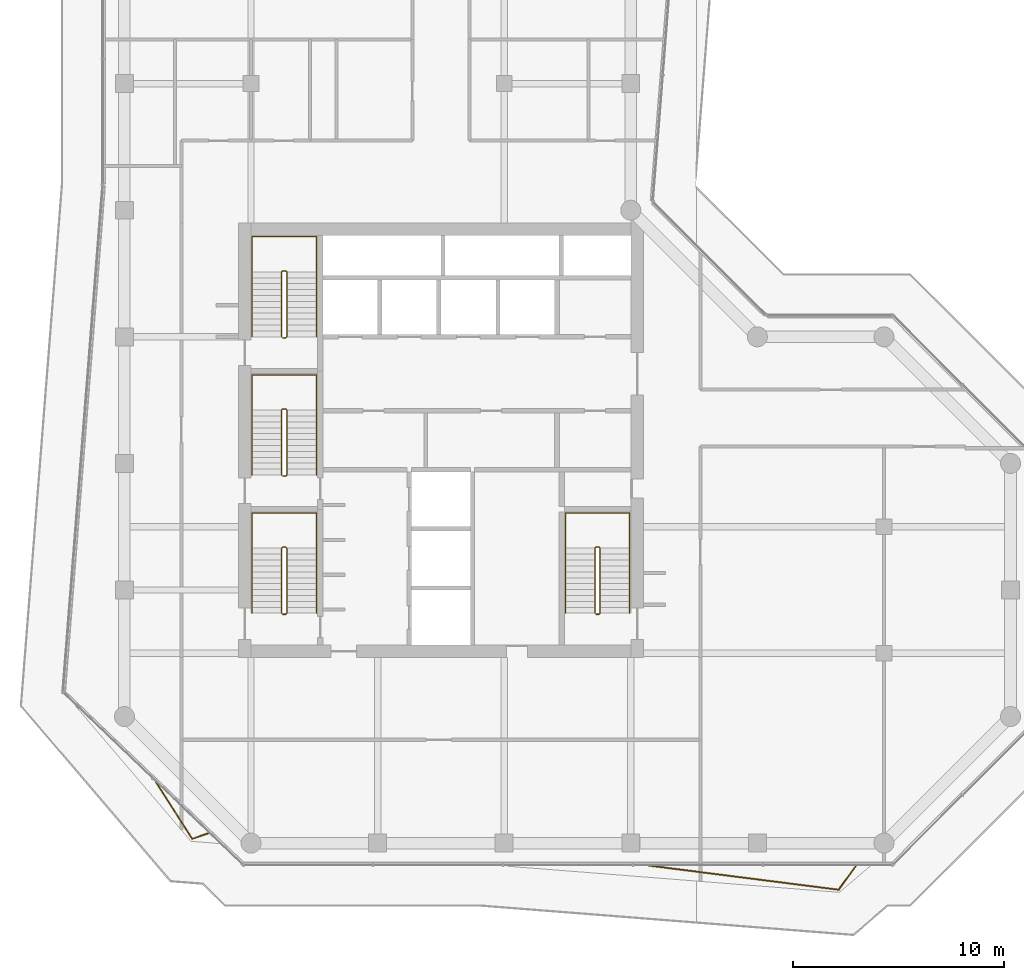
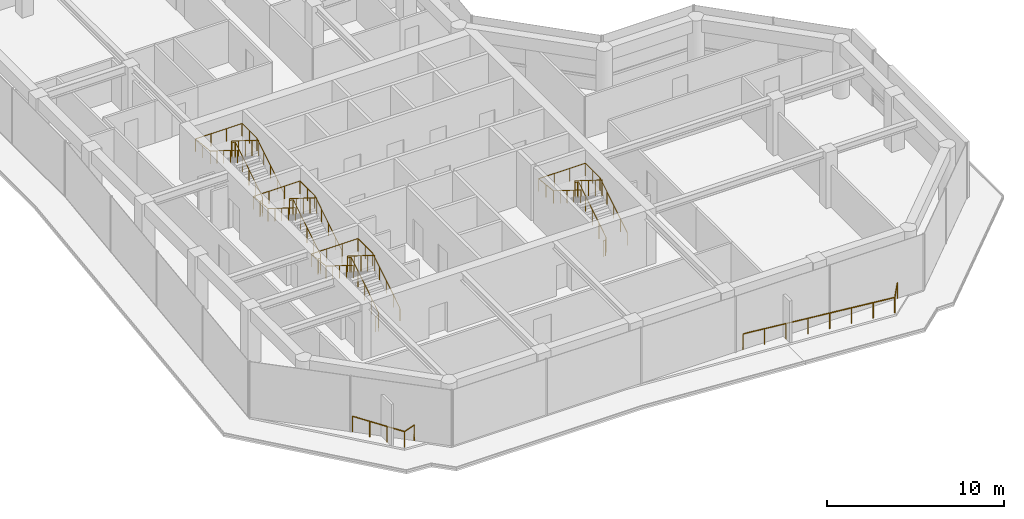
# One storey, part 21 of 22: 10 railings.
"""IFC4 building model written with IfcOpenShell, lengths in metres."""

from ifc_helpers import new_model, si_unit, direction, frame, origin, origin_2d, place, context, subcontext, project, spatial, circle, extrude, material, type_object, element, save


model = new_model("IFC4")

# Units and contexts
model_context = context("Model", 3, precision=1e-05, world=origin(), true_north=direction((0.0, 1.0)))
body_context = subcontext(model_context, "Body", "Model", "MODEL_VIEW")
ifc_project = project(units=[si_unit("LENGTHUNIT", "METRE"), si_unit("AREAUNIT", "SQUARE_METRE"), si_unit("VOLUMEUNIT", "CUBIC_METRE"), si_unit("PLANEANGLEUNIT", "RADIAN"), si_unit("MASSUNIT", "GRAM", prefix="KILO")], contexts=[model_context])

# Site, building, storey
site_placement = place(None, origin())
site = spatial("IfcSite", under=ifc_project, at=site_placement, CompositionType="ELEMENT")
building_placement = place(site_placement, origin())
building = spatial("IfcBuilding", under=site, at=building_placement, Name="Welwitschia Terrace Campus", CompositionType="ELEMENT")
storey_placement = place(building_placement, frame((0.0, 0.0, 150.800048828125)))
storey = spatial("IfcBuildingStorey", under=building, at=storey_placement, Name="L33", CompositionType="ELEMENT", Elevation=150.800048828125)

# Railings
ifc_material_1 = material(Name="Stainless steel grade 316", Category="steel")
railing_type_1 = type_object("IfcRailingType", Name="Guard 1100", PredefinedType="GUARDRAIL", material=ifc_material_1)
railing_1_placement = place(storey_placement, frame((4.03173828125, -3.511474609375, 0.0)))
element("IfcRailing", 1, at=railing_1_placement, inside=storey, type_object=railing_type_1, Name="Guard floor edge L33.0", PredefinedType="GUARDRAIL", context=body_context, shape_type="SweptSolid", body=[
    extrude(circle(Radius=0.02392578125, at=origin_2d()), frame((0.0, 0.0, 1.076171875), z_axis=(-0.94403448174, -0.3298467785, 0.0), x_axis=(0.3298467785, -0.94403448174, 0.0)), (0.0, 0.0, 1.0), 0.86376953125),
    extrude(circle(Radius=0.02392578125, at=origin_2d()), frame((-0.8154296875, -0.284912109375, 1.076171875), z_axis=(-0.54054483666, 0.841315208207, 0.0), x_axis=(-0.841315208207, -0.54054483666, 0.0)), (0.0, 0.0, 1.0), 3.30615234375),
    extrude(circle(Radius=0.02099609375, at=origin_2d()), origin(), (0.0, 0.0, 1.0), 1.052001953125),
    extrude(circle(Radius=0.02099609375, at=origin_2d()), frame((-0.8154296875, -0.284912109375, 0.0)), (0.0, 0.0, 1.0), 1.052001953125),
    extrude(circle(Radius=0.02099609375, at=origin_2d()), frame((-1.4111328125, 0.642333984375, 0.0)), (0.0, 0.0, 1.0), 1.052001953125),
    extrude(circle(Radius=0.02099609375, at=origin_2d()), frame((-2.0068359375, 1.5693359375, 0.0)), (0.0, 0.0, 1.0), 1.052001953125),
    extrude(circle(Radius=0.02099609375, at=origin_2d()), frame((-2.6025390625, 2.49658203125, 0.0)), (0.0, 0.0, 1.0), 1.052001953125),
])
railing_2_placement = place(storey_placement, frame((34.702392578125, -5.030029296875, 0.0)))
element("IfcRailing", 2, at=railing_2_placement, inside=storey, type_object=railing_type_1, Name="Guard floor edge L33.2", PredefinedType="GUARDRAIL", context=body_context, shape_type="SweptSolid", body=[
    extrude(circle(Radius=0.02392578125, at=origin_2d()), frame((0.0, 0.0, 1.076171875), z_axis=(-0.586122132915, -0.810222713399, 0.0), x_axis=(0.810222713399, -0.586122132915, 0.0)), (0.0, 0.0, 1.0), 1.453369140625),
    extrude(circle(Radius=0.02392578125, at=origin_2d()), frame((-0.851806640625, -1.177490234375, 1.076171875), z_axis=(-0.991984123969, 0.126362564838, 0.0), x_axis=(-0.126362564838, -0.991984123969, 0.0)), (0.0, 0.0, 1.0), 9.318359375),
    extrude(circle(Radius=0.02099609375, at=origin_2d()), origin(), (0.0, 0.0, 1.0), 1.052001953125),
    extrude(circle(Radius=0.02099609375, at=origin_2d()), frame((-0.851806640625, -1.177490234375, 0.0)), (0.0, 0.0, 1.0), 1.052001953125),
    extrude(circle(Radius=0.02099609375, at=origin_2d()), frame((-2.17236328125, -1.00927734375, 0.0)), (0.0, 0.0, 1.0), 1.052001953125),
    extrude(circle(Radius=0.02099609375, at=origin_2d()), frame((-3.492919921875, -0.841064453125, 0.0)), (0.0, 0.0, 1.0), 1.052001953125),
    extrude(circle(Radius=0.02099609375, at=origin_2d()), frame((-4.8134765625, -0.6728515625, 0.0)), (0.0, 0.0, 1.0), 1.052001953125),
    extrude(circle(Radius=0.02099609375, at=origin_2d()), frame((-6.1337890625, -0.504638671875, 0.0)), (0.0, 0.0, 1.0), 1.052001953125),
    extrude(circle(Radius=0.02099609375, at=origin_2d()), frame((-7.454345703125, -0.33642578125, 0.0)), (0.0, 0.0, 1.0), 1.052001953125),
    extrude(circle(Radius=0.02099609375, at=origin_2d()), frame((-8.77490234375, -0.168212890625, 0.0)), (0.0, 0.0, 1.0), 1.052001953125),
    extrude(circle(Radius=0.02099609375, at=origin_2d()), frame((-10.095458984375, 0.0, 0.0)), (0.0, 0.0, 1.0), 1.052001953125),
])
ifc_material_2 = material(Name="Steel S355", Category="steel")
railing_type_2 = type_object("IfcRailingType", Name="Stair guard 1100", PredefinedType="GUARDRAIL", material=ifc_material_2)
railing_3_placement = place(storey_placement, frame((7.5, 6.85009765625, 0.0)))
element("IfcRailing", 3, at=railing_3_placement, inside=storey, type_object=railing_type_2, Name="L33 S1 stair guard", PredefinedType="GUARDRAIL", context=body_context, shape_type="SweptSolid", body=[
    extrude(circle(Radius=0.02392578125, at=origin_2d()), frame((0.0, 0.0, 1.076171875), z_axis=(1.0, 0.0, 0.0), x_axis=(0.0, 1.0, 0.0)), (0.0, 0.0, 1.0), 0.14990234375),
    extrude(circle(Radius=0.02392578125, at=origin_2d()), frame((0.14990234375, 0.0, 1.076171875), z_axis=(0.265155923931, 0.263862480399, 0.927399011991), x_axis=(-0.705375805398, 0.708833529934, 0.0)), (0.0, 0.0, 1.0), 0.188720703125),
    extrude(circle(Radius=0.02392578125, at=origin_2d()), frame((0.199951171875, 0.0498046875, 1.2509765625), z_axis=(0.0, 0.848028513186, 0.529950602248), x_axis=(-1.0, 0.0, 0.0)), (0.0, 0.0, 1.0), 3.632080078125),
    extrude(circle(Radius=0.02392578125, at=origin_2d()), frame((0.199951171875, 3.1298828125, 3.17578125), z_axis=(-0.707106781187, 0.707106781187, 0.0), x_axis=(-0.707106781187, -0.707106781187, 0.0)), (0.0, 0.0, 1.0), 0.07080078125),
    extrude(circle(Radius=0.02392578125, at=origin_2d()), frame((0.14990234375, 3.179931640625, 3.17578125), z_axis=(-1.0, 0.0, 0.0), x_axis=(0.0, -1.0, 0.0)), (0.0, 0.0, 1.0), 0.14990234375),
    extrude(circle(Radius=0.02392578125, at=origin_2d()), frame((0.0, 3.179931640625, 3.17578125), z_axis=(-0.265065253269, -0.265065253269, 0.927081885822), x_axis=(0.707106781187, -0.707106781187, 0.0)), (0.0, 0.0, 1.0), 0.188720703125),
    extrude(circle(Radius=0.02392578125, at=origin_2d()), frame((-0.050048828125, 3.1298828125, 3.35107421875), z_axis=(0.0, -0.847998304005, 0.529998940003), x_axis=(1.0, 0.0, 0.0)), (0.0, 0.0, 1.0), 3.632080078125),
    extrude(circle(Radius=0.02099609375, at=origin_2d()), origin(), (0.0, 0.0, 1.0), 1.052001953125),
    extrude(circle(Radius=0.02099609375, at=origin_2d()), frame((0.14990234375, 0.0, 0.0)), (0.0, 0.0, 1.0), 1.052001953125),
    extrude(circle(Radius=0.02099609375, at=origin_2d()), frame((0.199951171875, 0.0498046875, 0.175048828125)), (0.0, 0.0, 1.0), 1.052001953125),
    extrude(circle(Radius=0.02099609375, at=origin_2d()), frame((0.199951171875, 0.81982421875, 0.65625)), (0.0, 0.0, 1.0), 1.052001953125),
    extrude(circle(Radius=0.02099609375, at=origin_2d()), frame((0.199951171875, 1.58984375, 1.137451171875)), (0.0, 0.0, 1.0), 1.052001953125),
    extrude(circle(Radius=0.02099609375, at=origin_2d()), frame((0.199951171875, 2.35986328125, 1.61865234375)), (0.0, 0.0, 1.0), 1.052001953125),
    extrude(circle(Radius=0.02099609375, at=origin_2d()), frame((0.199951171875, 3.1298828125, 2.099853515625)), (0.0, 0.0, 1.0), 1.052001953125),
    extrude(circle(Radius=0.02099609375, at=origin_2d()), frame((0.14990234375, 3.179931640625, 2.099853515625)), (0.0, 0.0, 1.0), 1.052001953125),
    extrude(circle(Radius=0.02099609375, at=origin_2d()), frame((0.0, 3.179931640625, 2.099853515625)), (0.0, 0.0, 1.0), 1.052001953125),
    extrude(circle(Radius=0.02099609375, at=origin_2d()), frame((-0.050048828125, 3.1298828125, 2.27490234375)), (0.0, 0.0, 1.0), 1.052001953125),
    extrude(circle(Radius=0.02099609375, at=origin_2d()), frame((-0.050048828125, 2.35986328125, 2.756103515625)), (0.0, 0.0, 1.0), 1.052001953125),
    extrude(circle(Radius=0.02099609375, at=origin_2d()), frame((-0.050048828125, 1.58984375, 3.2373046875)), (0.0, 0.0, 1.0), 1.052001953125),
    extrude(circle(Radius=0.02099609375, at=origin_2d()), frame((-0.050048828125, 0.81982421875, 3.71875)), (0.0, 0.0, 1.0), 1.052001953125),
    extrude(circle(Radius=0.02099609375, at=origin_2d()), frame((-0.050048828125, 0.0498046875, 4.199951171875)), (0.0, 0.0, 1.0), 1.052001953125),
])
railing_4_placement = place(storey_placement, frame((7.5, 13.39990234375, 0.0)))
element("IfcRailing", 4, at=railing_4_placement, inside=storey, type_object=railing_type_2, Name="L33 S3 stair guard", PredefinedType="GUARDRAIL", context=body_context, shape_type="SweptSolid", body=[
    extrude(circle(Radius=0.02392578125, at=origin_2d()), frame((0.0, 0.0, 1.076171875), z_axis=(1.0, 0.0, 0.0), x_axis=(0.0, 1.0, 0.0)), (0.0, 0.0, 1.0), 0.14990234375),
    extrude(circle(Radius=0.02392578125, at=origin_2d()), frame((0.14990234375, 0.0, 1.076171875), z_axis=(0.265065253269, 0.265065253269, 0.927081885822), x_axis=(-0.707106781187, 0.707106781187, 0.0)), (0.0, 0.0, 1.0), 0.188720703125),
    extrude(circle(Radius=0.02392578125, at=origin_2d()), frame((0.199951171875, 0.050048828125, 1.2509765625), z_axis=(0.0, 0.848028513186, 0.529950602248), x_axis=(-1.0, 0.0, 0.0)), (0.0, 0.0, 1.0), 3.632080078125),
    extrude(circle(Radius=0.02392578125, at=origin_2d()), frame((0.199951171875, 3.130126953125, 3.17578125), z_axis=(-0.707106781187, 0.707106781187, 0.0), x_axis=(-0.707106781187, -0.707106781187, 0.0)), (0.0, 0.0, 1.0), 0.07080078125),
    extrude(circle(Radius=0.02392578125, at=origin_2d()), frame((0.14990234375, 3.18017578125, 3.17578125), z_axis=(-1.0, 0.0, 0.0), x_axis=(0.0, -1.0, 0.0)), (0.0, 0.0, 1.0), 0.14990234375),
    extrude(circle(Radius=0.02392578125, at=origin_2d()), frame((0.0, 3.18017578125, 3.17578125), z_axis=(-0.265065253269, -0.265065253269, 0.927081885822), x_axis=(0.707106781187, -0.707106781187, 0.0)), (0.0, 0.0, 1.0), 0.188720703125),
    extrude(circle(Radius=0.02392578125, at=origin_2d()), frame((-0.050048828125, 3.130126953125, 3.35107421875), z_axis=(0.0, -0.847998304005, 0.529998940003), x_axis=(1.0, 0.0, 0.0)), (0.0, 0.0, 1.0), 3.632080078125),
    extrude(circle(Radius=0.02099609375, at=origin_2d()), origin(), (0.0, 0.0, 1.0), 1.052001953125),
    extrude(circle(Radius=0.02099609375, at=origin_2d()), frame((0.14990234375, 0.0, 0.0)), (0.0, 0.0, 1.0), 1.052001953125),
    extrude(circle(Radius=0.02099609375, at=origin_2d()), frame((0.199951171875, 0.050048828125, 0.175048828125)), (0.0, 0.0, 1.0), 1.052001953125),
    extrude(circle(Radius=0.02099609375, at=origin_2d()), frame((0.199951171875, 0.820068359375, 0.65625)), (0.0, 0.0, 1.0), 1.052001953125),
    extrude(circle(Radius=0.02099609375, at=origin_2d()), frame((0.199951171875, 1.590087890625, 1.137451171875)), (0.0, 0.0, 1.0), 1.052001953125),
    extrude(circle(Radius=0.02099609375, at=origin_2d()), frame((0.199951171875, 2.360107421875, 1.61865234375)), (0.0, 0.0, 1.0), 1.052001953125),
    extrude(circle(Radius=0.02099609375, at=origin_2d()), frame((0.199951171875, 3.130126953125, 2.099853515625)), (0.0, 0.0, 1.0), 1.052001953125),
    extrude(circle(Radius=0.02099609375, at=origin_2d()), frame((0.14990234375, 3.18017578125, 2.099853515625)), (0.0, 0.0, 1.0), 1.052001953125),
    extrude(circle(Radius=0.02099609375, at=origin_2d()), frame((0.0, 3.18017578125, 2.099853515625)), (0.0, 0.0, 1.0), 1.052001953125),
    extrude(circle(Radius=0.02099609375, at=origin_2d()), frame((-0.050048828125, 3.130126953125, 2.27490234375)), (0.0, 0.0, 1.0), 1.052001953125),
    extrude(circle(Radius=0.02099609375, at=origin_2d()), frame((-0.050048828125, 2.360107421875, 2.756103515625)), (0.0, 0.0, 1.0), 1.052001953125),
    extrude(circle(Radius=0.02099609375, at=origin_2d()), frame((-0.050048828125, 1.590087890625, 3.2373046875)), (0.0, 0.0, 1.0), 1.052001953125),
    extrude(circle(Radius=0.02099609375, at=origin_2d()), frame((-0.050048828125, 0.820068359375, 3.71875)), (0.0, 0.0, 1.0), 1.052001953125),
    extrude(circle(Radius=0.02099609375, at=origin_2d()), frame((-0.050048828125, 0.050048828125, 4.199951171875)), (0.0, 0.0, 1.0), 1.052001953125),
])
railing_5_placement = place(storey_placement, frame((7.5, 19.949951171875, 0.0)))
element("IfcRailing", 5, at=railing_5_placement, inside=storey, type_object=railing_type_2, Name="L33 S4 stair guard", PredefinedType="GUARDRAIL", context=body_context, shape_type="SweptSolid", body=[
    extrude(circle(Radius=0.02392578125, at=origin_2d()), frame((0.0, 0.0, 1.076171875), z_axis=(1.0, 0.0, 0.0), x_axis=(0.0, 1.0, 0.0)), (0.0, 0.0, 1.0), 0.14990234375),
    extrude(circle(Radius=0.02392578125, at=origin_2d()), frame((0.14990234375, 0.0, 1.076171875), z_axis=(0.265065253269, 0.265065253269, 0.927081885822), x_axis=(-0.707106781187, 0.707106781187, 0.0)), (0.0, 0.0, 1.0), 0.188720703125),
    extrude(circle(Radius=0.02392578125, at=origin_2d()), frame((0.199951171875, 0.050048828125, 1.2509765625), z_axis=(0.0, 0.848028513186, 0.529950602248), x_axis=(-1.0, 0.0, 0.0)), (0.0, 0.0, 1.0), 3.632080078125),
    extrude(circle(Radius=0.02392578125, at=origin_2d()), frame((0.199951171875, 3.130126953125, 3.17578125), z_axis=(-0.708833529934, 0.705375805398, 0.0), x_axis=(-0.705375805398, -0.708833529934, 0.0)), (0.0, 0.0, 1.0), 0.070556640625),
    extrude(circle(Radius=0.02392578125, at=origin_2d()), frame((0.14990234375, 3.179931640625, 3.17578125), z_axis=(-1.0, 0.0, 0.0), x_axis=(0.0, -1.0, 0.0)), (0.0, 0.0, 1.0), 0.14990234375),
    extrude(circle(Radius=0.02392578125, at=origin_2d()), frame((0.0, 3.179931640625, 3.17578125), z_axis=(-0.265155923931, -0.263862480399, 0.927399011991), x_axis=(0.705375805398, -0.708833529934, 0.0)), (0.0, 0.0, 1.0), 0.188720703125),
    extrude(circle(Radius=0.02392578125, at=origin_2d()), frame((-0.050048828125, 3.130126953125, 3.35107421875), z_axis=(0.0, -0.847998304005, 0.529998940003), x_axis=(1.0, 0.0, 0.0)), (0.0, 0.0, 1.0), 3.632080078125),
    extrude(circle(Radius=0.02099609375, at=origin_2d()), origin(), (0.0, 0.0, 1.0), 1.052001953125),
    extrude(circle(Radius=0.02099609375, at=origin_2d()), frame((0.14990234375, 0.0, 0.0)), (0.0, 0.0, 1.0), 1.052001953125),
    extrude(circle(Radius=0.02099609375, at=origin_2d()), frame((0.199951171875, 0.050048828125, 0.175048828125)), (0.0, 0.0, 1.0), 1.052001953125),
    extrude(circle(Radius=0.02099609375, at=origin_2d()), frame((0.199951171875, 0.820068359375, 0.65625)), (0.0, 0.0, 1.0), 1.052001953125),
    extrude(circle(Radius=0.02099609375, at=origin_2d()), frame((0.199951171875, 1.590087890625, 1.137451171875)), (0.0, 0.0, 1.0), 1.052001953125),
    extrude(circle(Radius=0.02099609375, at=origin_2d()), frame((0.199951171875, 2.360107421875, 1.61865234375)), (0.0, 0.0, 1.0), 1.052001953125),
    extrude(circle(Radius=0.02099609375, at=origin_2d()), frame((0.199951171875, 3.130126953125, 2.099853515625)), (0.0, 0.0, 1.0), 1.052001953125),
    extrude(circle(Radius=0.02099609375, at=origin_2d()), frame((0.14990234375, 3.179931640625, 2.099853515625)), (0.0, 0.0, 1.0), 1.052001953125),
    extrude(circle(Radius=0.02099609375, at=origin_2d()), frame((0.0, 3.179931640625, 2.099853515625)), (0.0, 0.0, 1.0), 1.052001953125),
    extrude(circle(Radius=0.02099609375, at=origin_2d()), frame((-0.050048828125, 3.130126953125, 2.27490234375)), (0.0, 0.0, 1.0), 1.052001953125),
    extrude(circle(Radius=0.02099609375, at=origin_2d()), frame((-0.050048828125, 2.360107421875, 2.756103515625)), (0.0, 0.0, 1.0), 1.052001953125),
    extrude(circle(Radius=0.02099609375, at=origin_2d()), frame((-0.050048828125, 1.590087890625, 3.2373046875)), (0.0, 0.0, 1.0), 1.052001953125),
    extrude(circle(Radius=0.02099609375, at=origin_2d()), frame((-0.050048828125, 0.820068359375, 3.71875)), (0.0, 0.0, 1.0), 1.052001953125),
    extrude(circle(Radius=0.02099609375, at=origin_2d()), frame((-0.050048828125, 0.050048828125, 4.199951171875)), (0.0, 0.0, 1.0), 1.052001953125),
])
railing_6_placement = place(storey_placement, frame((22.35009765625, 6.85009765625, 0.0)))
element("IfcRailing", 6, at=railing_6_placement, inside=storey, type_object=railing_type_2, Name="L33 S2 stair guard", PredefinedType="GUARDRAIL", context=body_context, shape_type="SweptSolid", body=[
    extrude(circle(Radius=0.02392578125, at=origin_2d()), frame((0.0, 0.0, 1.076171875), z_axis=(1.0, 0.0, 0.0), x_axis=(0.0, 1.0, 0.0)), (0.0, 0.0, 1.0), 0.14990234375),
    extrude(circle(Radius=0.02392578125, at=origin_2d()), frame((0.14990234375, 0.0, 1.076171875), z_axis=(0.265155923931, 0.263862480399, 0.927399011991), x_axis=(-0.705375805398, 0.708833529934, 0.0)), (0.0, 0.0, 1.0), 0.188720703125),
    extrude(circle(Radius=0.02392578125, at=origin_2d()), frame((0.199951171875, 0.0498046875, 1.2509765625), z_axis=(0.0, 0.848028513186, 0.529950602248), x_axis=(-1.0, 0.0, 0.0)), (0.0, 0.0, 1.0), 3.632080078125),
    extrude(circle(Radius=0.02392578125, at=origin_2d()), frame((0.199951171875, 3.1298828125, 3.17578125), z_axis=(-0.707106781187, 0.707106781187, 0.0), x_axis=(-0.707106781187, -0.707106781187, 0.0)), (0.0, 0.0, 1.0), 0.07080078125),
    extrude(circle(Radius=0.02392578125, at=origin_2d()), frame((0.14990234375, 3.179931640625, 3.17578125), z_axis=(-1.0, 0.0, 0.0), x_axis=(0.0, -1.0, 0.0)), (0.0, 0.0, 1.0), 0.14990234375),
    extrude(circle(Radius=0.02392578125, at=origin_2d()), frame((0.0, 3.179931640625, 3.17578125), z_axis=(-0.265065253269, -0.265065253269, 0.927081885822), x_axis=(0.707106781187, -0.707106781187, 0.0)), (0.0, 0.0, 1.0), 0.188720703125),
    extrude(circle(Radius=0.02392578125, at=origin_2d()), frame((-0.050048828125, 3.1298828125, 3.35107421875), z_axis=(0.0, -0.847998304005, 0.529998940003), x_axis=(1.0, 0.0, 0.0)), (0.0, 0.0, 1.0), 3.632080078125),
    extrude(circle(Radius=0.02099609375, at=origin_2d()), origin(), (0.0, 0.0, 1.0), 1.052001953125),
    extrude(circle(Radius=0.02099609375, at=origin_2d()), frame((0.14990234375, 0.0, 0.0)), (0.0, 0.0, 1.0), 1.052001953125),
    extrude(circle(Radius=0.02099609375, at=origin_2d()), frame((0.199951171875, 0.0498046875, 0.175048828125)), (0.0, 0.0, 1.0), 1.052001953125),
    extrude(circle(Radius=0.02099609375, at=origin_2d()), frame((0.199951171875, 0.81982421875, 0.65625)), (0.0, 0.0, 1.0), 1.052001953125),
    extrude(circle(Radius=0.02099609375, at=origin_2d()), frame((0.199951171875, 1.58984375, 1.137451171875)), (0.0, 0.0, 1.0), 1.052001953125),
    extrude(circle(Radius=0.02099609375, at=origin_2d()), frame((0.199951171875, 2.35986328125, 1.61865234375)), (0.0, 0.0, 1.0), 1.052001953125),
    extrude(circle(Radius=0.02099609375, at=origin_2d()), frame((0.199951171875, 3.1298828125, 2.099853515625)), (0.0, 0.0, 1.0), 1.052001953125),
    extrude(circle(Radius=0.02099609375, at=origin_2d()), frame((0.14990234375, 3.179931640625, 2.099853515625)), (0.0, 0.0, 1.0), 1.052001953125),
    extrude(circle(Radius=0.02099609375, at=origin_2d()), frame((0.0, 3.179931640625, 2.099853515625)), (0.0, 0.0, 1.0), 1.052001953125),
    extrude(circle(Radius=0.02099609375, at=origin_2d()), frame((-0.050048828125, 3.1298828125, 2.27490234375)), (0.0, 0.0, 1.0), 1.052001953125),
    extrude(circle(Radius=0.02099609375, at=origin_2d()), frame((-0.050048828125, 2.35986328125, 2.756103515625)), (0.0, 0.0, 1.0), 1.052001953125),
    extrude(circle(Radius=0.02099609375, at=origin_2d()), frame((-0.050048828125, 1.58984375, 3.2373046875)), (0.0, 0.0, 1.0), 1.052001953125),
    extrude(circle(Radius=0.02099609375, at=origin_2d()), frame((-0.050048828125, 0.81982421875, 3.71875)), (0.0, 0.0, 1.0), 1.052001953125),
    extrude(circle(Radius=0.02099609375, at=origin_2d()), frame((-0.050048828125, 0.0498046875, 4.199951171875)), (0.0, 0.0, 1.0), 1.052001953125),
])
ifc_material_3 = material(Name="Steel S355", Category="steel")
railing_type_3 = type_object("IfcRailingType", Name="Stair handrail 900", PredefinedType="HANDRAIL", material=ifc_material_3)
railing_7_placement = place(storey_placement, frame((9.10009765625, 6.89990234375, 0.175048828125)))
element("IfcRailing", 7, at=railing_7_placement, inside=storey, type_object=railing_type_3, Name="L33 S1 stair handrail", PredefinedType="HANDRAIL", context=body_context, shape_type="SweptSolid", body=[
    extrude(circle(Radius=0.02392578125, at=origin_2d()), frame((0.0, 0.0, 0.8759765625), z_axis=(0.0, 0.848028513186, 0.529950602248), x_axis=(-1.0, 0.0, 0.0)), (0.0, 0.0, 1.0), 3.632080078125),
    extrude(circle(Radius=0.02392578125, at=origin_2d()), frame((0.0, 3.080078125, 2.80078125), z_axis=(0.0, 1.0, 0.0), x_axis=(-1.0, 0.0, 0.0)), (0.0, 0.0, 1.0), 1.669921875),
    extrude(circle(Radius=0.02392578125, at=origin_2d()), frame((0.0, 4.75, 2.80078125), z_axis=(-1.0, 0.0, 0.0), x_axis=(0.0, -1.0, 0.0)), (0.0, 0.0, 1.0), 3.050048828125),
    extrude(circle(Radius=0.02392578125, at=origin_2d()), frame((-3.050048828125, 4.75, 2.80078125), z_axis=(0.0, -0.99455077262, 0.104253348533), x_axis=(1.0, 0.0, 0.0)), (0.0, 0.0, 1.0), 1.678955078125),
    extrude(circle(Radius=0.02392578125, at=origin_2d()), frame((-3.050048828125, 3.080078125, 2.9755859375), z_axis=(0.0, -0.847998304005, 0.529998940003), x_axis=(1.0, 0.0, 0.0)), (0.0, 0.0, 1.0), 3.632080078125),
    extrude(circle(Radius=0.02099609375, at=origin_2d()), origin(), (0.0, 0.0, 1.0), 0.851806640625),
    extrude(circle(Radius=0.02099609375, at=origin_2d()), frame((0.0, 0.77001953125, 0.481201171875)), (0.0, 0.0, 1.0), 0.851806640625),
    extrude(circle(Radius=0.02099609375, at=origin_2d()), frame((0.0, 1.5400390625, 0.96240234375)), (0.0, 0.0, 1.0), 0.851806640625),
    extrude(circle(Radius=0.02099609375, at=origin_2d()), frame((0.0, 2.31005859375, 1.443603515625)), (0.0, 0.0, 1.0), 0.851806640625),
    extrude(circle(Radius=0.02099609375, at=origin_2d()), frame((0.0, 3.080078125, 1.9248046875)), (0.0, 0.0, 1.0), 0.851806640625),
    extrude(circle(Radius=0.02099609375, at=origin_2d()), frame((0.0, 3.9150390625, 1.9248046875)), (0.0, 0.0, 1.0), 0.851806640625),
    extrude(circle(Radius=0.02099609375, at=origin_2d()), frame((0.0, 4.75, 1.9248046875)), (0.0, 0.0, 1.0), 0.851806640625),
    extrude(circle(Radius=0.02099609375, at=origin_2d()), frame((-1.0166015625, 4.75, 1.9248046875)), (0.0, 0.0, 1.0), 0.851806640625),
    extrude(circle(Radius=0.02099609375, at=origin_2d()), frame((-2.033447265625, 4.75, 1.9248046875)), (0.0, 0.0, 1.0), 0.851806640625),
    extrude(circle(Radius=0.02099609375, at=origin_2d()), frame((-3.050048828125, 4.75, 1.9248046875)), (0.0, 0.0, 1.0), 0.851806640625),
    extrude(circle(Radius=0.02099609375, at=origin_2d()), frame((-3.050048828125, 3.9150390625, 2.01220703125)), (0.0, 0.0, 1.0), 0.851806640625),
    extrude(circle(Radius=0.02099609375, at=origin_2d()), frame((-3.050048828125, 3.080078125, 2.099853515625)), (0.0, 0.0, 1.0), 0.851806640625),
    extrude(circle(Radius=0.02099609375, at=origin_2d()), frame((-3.050048828125, 2.31005859375, 2.5810546875)), (0.0, 0.0, 1.0), 0.851806640625),
    extrude(circle(Radius=0.02099609375, at=origin_2d()), frame((-3.050048828125, 1.5400390625, 3.0625)), (0.0, 0.0, 1.0), 0.851806640625),
    extrude(circle(Radius=0.02099609375, at=origin_2d()), frame((-3.050048828125, 0.77001953125, 3.543701171875)), (0.0, 0.0, 1.0), 0.851806640625),
    extrude(circle(Radius=0.02099609375, at=origin_2d()), frame((-3.050048828125, 0.0, 4.02490234375)), (0.0, 0.0, 1.0), 0.851806640625),
])
railing_8_placement = place(storey_placement, frame((9.10009765625, 13.449951171875, 0.175048828125)))
element("IfcRailing", 8, at=railing_8_placement, inside=storey, type_object=railing_type_3, Name="L33 S3 stair handrail", PredefinedType="HANDRAIL", context=body_context, shape_type="SweptSolid", body=[
    extrude(circle(Radius=0.02392578125, at=origin_2d()), frame((0.0, 0.0, 0.8759765625), z_axis=(0.0, 0.848028513186, 0.529950602248), x_axis=(-1.0, 0.0, 0.0)), (0.0, 0.0, 1.0), 3.632080078125),
    extrude(circle(Radius=0.02392578125, at=origin_2d()), frame((0.0, 3.080078125, 2.80078125), z_axis=(0.0, 1.0, 0.0), x_axis=(-1.0, 0.0, 0.0)), (0.0, 0.0, 1.0), 1.669921875),
    extrude(circle(Radius=0.02392578125, at=origin_2d()), frame((0.0, 4.75, 2.80078125), z_axis=(-1.0, 0.0, 0.0), x_axis=(0.0, -1.0, 0.0)), (0.0, 0.0, 1.0), 3.050048828125),
    extrude(circle(Radius=0.02392578125, at=origin_2d()), frame((-3.050048828125, 4.75, 2.80078125), z_axis=(0.0, -0.99455077262, 0.104253348533), x_axis=(1.0, 0.0, 0.0)), (0.0, 0.0, 1.0), 1.678955078125),
    extrude(circle(Radius=0.02392578125, at=origin_2d()), frame((-3.050048828125, 3.080078125, 2.9755859375), z_axis=(0.0, -0.847998304005, 0.529998940003), x_axis=(1.0, 0.0, 0.0)), (0.0, 0.0, 1.0), 3.632080078125),
    extrude(circle(Radius=0.02099609375, at=origin_2d()), origin(), (0.0, 0.0, 1.0), 0.851806640625),
    extrude(circle(Radius=0.02099609375, at=origin_2d()), frame((0.0, 0.77001953125, 0.481201171875)), (0.0, 0.0, 1.0), 0.851806640625),
    extrude(circle(Radius=0.02099609375, at=origin_2d()), frame((0.0, 1.5400390625, 0.96240234375)), (0.0, 0.0, 1.0), 0.851806640625),
    extrude(circle(Radius=0.02099609375, at=origin_2d()), frame((0.0, 2.31005859375, 1.443603515625)), (0.0, 0.0, 1.0), 0.851806640625),
    extrude(circle(Radius=0.02099609375, at=origin_2d()), frame((0.0, 3.080078125, 1.9248046875)), (0.0, 0.0, 1.0), 0.851806640625),
    extrude(circle(Radius=0.02099609375, at=origin_2d()), frame((0.0, 3.9150390625, 1.9248046875)), (0.0, 0.0, 1.0), 0.851806640625),
    extrude(circle(Radius=0.02099609375, at=origin_2d()), frame((0.0, 4.75, 1.9248046875)), (0.0, 0.0, 1.0), 0.851806640625),
    extrude(circle(Radius=0.02099609375, at=origin_2d()), frame((-1.0166015625, 4.75, 1.9248046875)), (0.0, 0.0, 1.0), 0.851806640625),
    extrude(circle(Radius=0.02099609375, at=origin_2d()), frame((-2.033447265625, 4.75, 1.9248046875)), (0.0, 0.0, 1.0), 0.851806640625),
    extrude(circle(Radius=0.02099609375, at=origin_2d()), frame((-3.050048828125, 4.75, 1.9248046875)), (0.0, 0.0, 1.0), 0.851806640625),
    extrude(circle(Radius=0.02099609375, at=origin_2d()), frame((-3.050048828125, 3.9150390625, 2.01220703125)), (0.0, 0.0, 1.0), 0.851806640625),
    extrude(circle(Radius=0.02099609375, at=origin_2d()), frame((-3.050048828125, 3.080078125, 2.099853515625)), (0.0, 0.0, 1.0), 0.851806640625),
    extrude(circle(Radius=0.02099609375, at=origin_2d()), frame((-3.050048828125, 2.31005859375, 2.5810546875)), (0.0, 0.0, 1.0), 0.851806640625),
    extrude(circle(Radius=0.02099609375, at=origin_2d()), frame((-3.050048828125, 1.5400390625, 3.0625)), (0.0, 0.0, 1.0), 0.851806640625),
    extrude(circle(Radius=0.02099609375, at=origin_2d()), frame((-3.050048828125, 0.77001953125, 3.543701171875)), (0.0, 0.0, 1.0), 0.851806640625),
    extrude(circle(Radius=0.02099609375, at=origin_2d()), frame((-3.050048828125, 0.0, 4.02490234375)), (0.0, 0.0, 1.0), 0.851806640625),
])
railing_9_placement = place(storey_placement, frame((9.10009765625, 20.0, 0.175048828125)))
element("IfcRailing", 9, at=railing_9_placement, inside=storey, type_object=railing_type_3, Name="L33 S4 stair handrail", PredefinedType="HANDRAIL", context=body_context, shape_type="SweptSolid", body=[
    extrude(circle(Radius=0.02392578125, at=origin_2d()), frame((0.0, 0.0, 0.8759765625), z_axis=(0.0, 0.848028513186, 0.529950602248), x_axis=(-1.0, 0.0, 0.0)), (0.0, 0.0, 1.0), 3.632080078125),
    extrude(circle(Radius=0.02392578125, at=origin_2d()), frame((0.0, 3.080078125, 2.80078125), z_axis=(0.0, 1.0, 0.0), x_axis=(-1.0, 0.0, 0.0)), (0.0, 0.0, 1.0), 1.669921875),
    extrude(circle(Radius=0.02392578125, at=origin_2d()), frame((0.0, 4.75, 2.80078125), z_axis=(-1.0, 0.0, 0.0), x_axis=(0.0, -1.0, 0.0)), (0.0, 0.0, 1.0), 3.050048828125),
    extrude(circle(Radius=0.02392578125, at=origin_2d()), frame((-3.050048828125, 4.75, 2.80078125), z_axis=(0.0, -0.99455077262, 0.104253348533), x_axis=(1.0, 0.0, 0.0)), (0.0, 0.0, 1.0), 1.678955078125),
    extrude(circle(Radius=0.02392578125, at=origin_2d()), frame((-3.050048828125, 3.080078125, 2.9755859375), z_axis=(0.0, -0.847998304005, 0.529998940003), x_axis=(1.0, 0.0, 0.0)), (0.0, 0.0, 1.0), 3.632080078125),
    extrude(circle(Radius=0.02099609375, at=origin_2d()), origin(), (0.0, 0.0, 1.0), 0.851806640625),
    extrude(circle(Radius=0.02099609375, at=origin_2d()), frame((0.0, 0.77001953125, 0.481201171875)), (0.0, 0.0, 1.0), 0.851806640625),
    extrude(circle(Radius=0.02099609375, at=origin_2d()), frame((0.0, 1.5400390625, 0.96240234375)), (0.0, 0.0, 1.0), 0.851806640625),
    extrude(circle(Radius=0.02099609375, at=origin_2d()), frame((0.0, 2.31005859375, 1.443603515625)), (0.0, 0.0, 1.0), 0.851806640625),
    extrude(circle(Radius=0.02099609375, at=origin_2d()), frame((0.0, 3.080078125, 1.9248046875)), (0.0, 0.0, 1.0), 0.851806640625),
    extrude(circle(Radius=0.02099609375, at=origin_2d()), frame((0.0, 3.9150390625, 1.9248046875)), (0.0, 0.0, 1.0), 0.851806640625),
    extrude(circle(Radius=0.02099609375, at=origin_2d()), frame((0.0, 4.75, 1.9248046875)), (0.0, 0.0, 1.0), 0.851806640625),
    extrude(circle(Radius=0.02099609375, at=origin_2d()), frame((-1.0166015625, 4.75, 1.9248046875)), (0.0, 0.0, 1.0), 0.851806640625),
    extrude(circle(Radius=0.02099609375, at=origin_2d()), frame((-2.033447265625, 4.75, 1.9248046875)), (0.0, 0.0, 1.0), 0.851806640625),
    extrude(circle(Radius=0.02099609375, at=origin_2d()), frame((-3.050048828125, 4.75, 1.9248046875)), (0.0, 0.0, 1.0), 0.851806640625),
    extrude(circle(Radius=0.02099609375, at=origin_2d()), frame((-3.050048828125, 3.9150390625, 2.01220703125)), (0.0, 0.0, 1.0), 0.851806640625),
    extrude(circle(Radius=0.02099609375, at=origin_2d()), frame((-3.050048828125, 3.080078125, 2.099853515625)), (0.0, 0.0, 1.0), 0.851806640625),
    extrude(circle(Radius=0.02099609375, at=origin_2d()), frame((-3.050048828125, 2.31005859375, 2.5810546875)), (0.0, 0.0, 1.0), 0.851806640625),
    extrude(circle(Radius=0.02099609375, at=origin_2d()), frame((-3.050048828125, 1.5400390625, 3.0625)), (0.0, 0.0, 1.0), 0.851806640625),
    extrude(circle(Radius=0.02099609375, at=origin_2d()), frame((-3.050048828125, 0.77001953125, 3.543701171875)), (0.0, 0.0, 1.0), 0.851806640625),
    extrude(circle(Radius=0.02099609375, at=origin_2d()), frame((-3.050048828125, 0.0, 4.02490234375)), (0.0, 0.0, 1.0), 0.851806640625),
])
railing_10_placement = place(storey_placement, frame((23.949951171875, 6.89990234375, 0.175048828125)))
element("IfcRailing", 10, at=railing_10_placement, inside=storey, type_object=railing_type_3, Name="L33 S2 stair handrail", PredefinedType="HANDRAIL", context=body_context, shape_type="SweptSolid", body=[
    extrude(circle(Radius=0.02392578125, at=origin_2d()), frame((0.0, 0.0, 0.8759765625), z_axis=(0.0, 0.848028513186, 0.529950602248), x_axis=(-1.0, 0.0, 0.0)), (0.0, 0.0, 1.0), 3.632080078125),
    extrude(circle(Radius=0.02392578125, at=origin_2d()), frame((0.0, 3.080078125, 2.80078125), z_axis=(0.0, 1.0, 0.0), x_axis=(-1.0, 0.0, 0.0)), (0.0, 0.0, 1.0), 1.669921875),
    extrude(circle(Radius=0.02392578125, at=origin_2d()), frame((0.0, 4.75, 2.80078125), z_axis=(-1.0, 0.0, 0.0), x_axis=(0.0, -1.0, 0.0)), (0.0, 0.0, 1.0), 3.050048828125),
    extrude(circle(Radius=0.02392578125, at=origin_2d()), frame((-3.050048828125, 4.75, 2.80078125), z_axis=(0.0, -0.99455077262, 0.104253348533), x_axis=(1.0, 0.0, 0.0)), (0.0, 0.0, 1.0), 1.678955078125),
    extrude(circle(Radius=0.02392578125, at=origin_2d()), frame((-3.050048828125, 3.080078125, 2.9755859375), z_axis=(0.0, -0.847998304005, 0.529998940003), x_axis=(1.0, 0.0, 0.0)), (0.0, 0.0, 1.0), 3.632080078125),
    extrude(circle(Radius=0.02099609375, at=origin_2d()), origin(), (0.0, 0.0, 1.0), 0.851806640625),
    extrude(circle(Radius=0.02099609375, at=origin_2d()), frame((0.0, 0.77001953125, 0.481201171875)), (0.0, 0.0, 1.0), 0.851806640625),
    extrude(circle(Radius=0.02099609375, at=origin_2d()), frame((0.0, 1.5400390625, 0.96240234375)), (0.0, 0.0, 1.0), 0.851806640625),
    extrude(circle(Radius=0.02099609375, at=origin_2d()), frame((0.0, 2.31005859375, 1.443603515625)), (0.0, 0.0, 1.0), 0.851806640625),
    extrude(circle(Radius=0.02099609375, at=origin_2d()), frame((0.0, 3.080078125, 1.9248046875)), (0.0, 0.0, 1.0), 0.851806640625),
    extrude(circle(Radius=0.02099609375, at=origin_2d()), frame((0.0, 3.9150390625, 1.9248046875)), (0.0, 0.0, 1.0), 0.851806640625),
    extrude(circle(Radius=0.02099609375, at=origin_2d()), frame((0.0, 4.75, 1.9248046875)), (0.0, 0.0, 1.0), 0.851806640625),
    extrude(circle(Radius=0.02099609375, at=origin_2d()), frame((-1.0166015625, 4.75, 1.9248046875)), (0.0, 0.0, 1.0), 0.851806640625),
    extrude(circle(Radius=0.02099609375, at=origin_2d()), frame((-2.033447265625, 4.75, 1.9248046875)), (0.0, 0.0, 1.0), 0.851806640625),
    extrude(circle(Radius=0.02099609375, at=origin_2d()), frame((-3.050048828125, 4.75, 1.9248046875)), (0.0, 0.0, 1.0), 0.851806640625),
    extrude(circle(Radius=0.02099609375, at=origin_2d()), frame((-3.050048828125, 3.9150390625, 2.01220703125)), (0.0, 0.0, 1.0), 0.851806640625),
    extrude(circle(Radius=0.02099609375, at=origin_2d()), frame((-3.050048828125, 3.080078125, 2.099853515625)), (0.0, 0.0, 1.0), 0.851806640625),
    extrude(circle(Radius=0.02099609375, at=origin_2d()), frame((-3.050048828125, 2.31005859375, 2.5810546875)), (0.0, 0.0, 1.0), 0.851806640625),
    extrude(circle(Radius=0.02099609375, at=origin_2d()), frame((-3.050048828125, 1.5400390625, 3.0625)), (0.0, 0.0, 1.0), 0.851806640625),
    extrude(circle(Radius=0.02099609375, at=origin_2d()), frame((-3.050048828125, 0.77001953125, 3.543701171875)), (0.0, 0.0, 1.0), 0.851806640625),
    extrude(circle(Radius=0.02099609375, at=origin_2d()), frame((-3.050048828125, 0.0, 4.02490234375)), (0.0, 0.0, 1.0), 0.851806640625),
])

save(model, "model.ifc")
